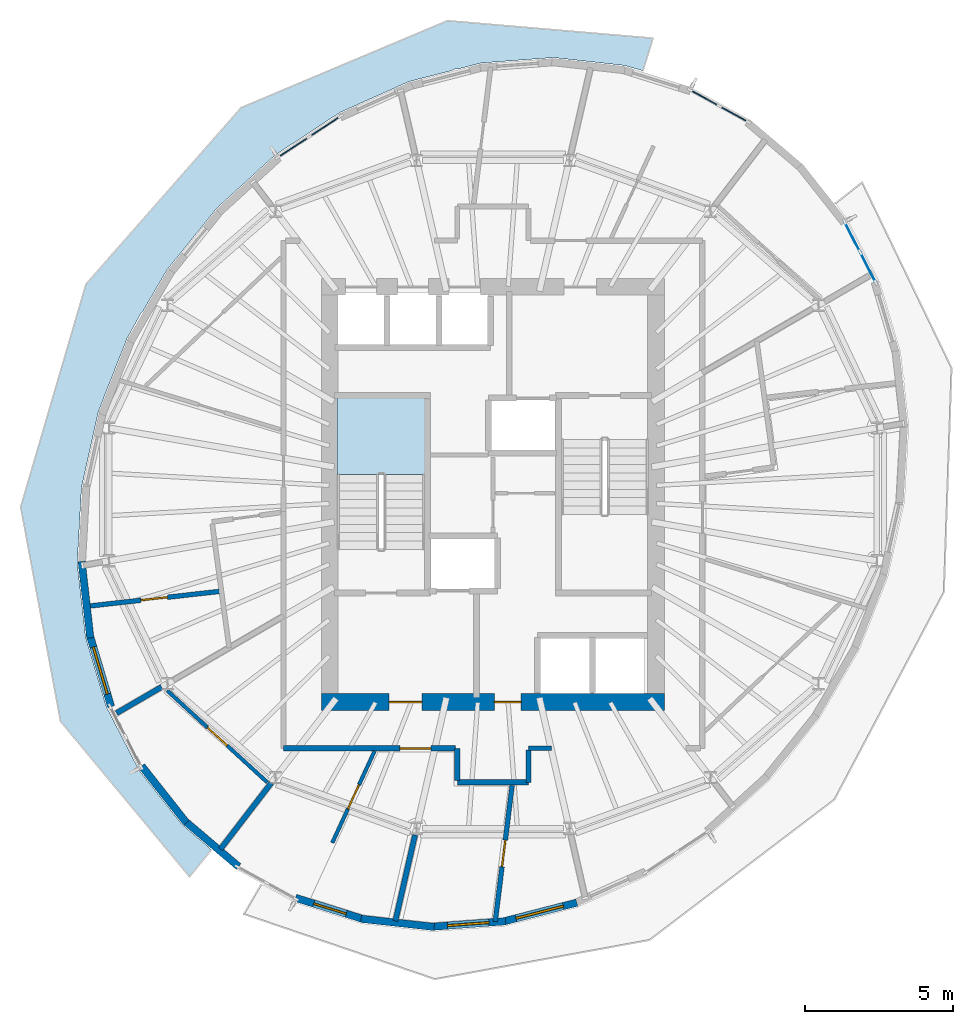
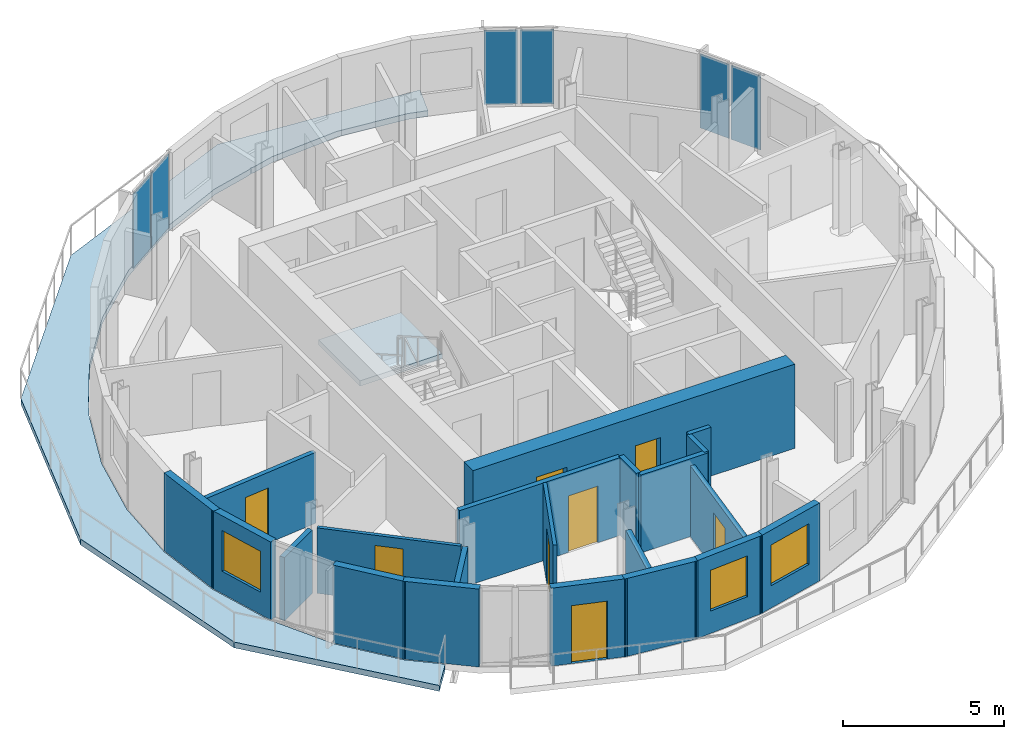
# One storey, part 4 of 11: 21 walls, 8 doors, 6 plates, 3 windows, 2 slabs, 11 openings, 4 elements without a shape of their own.
"""IFC4 building model written with IfcOpenShell, lengths in metres."""

from ifc_helpers import new_model, si_unit, direction, frame, frame_2d, origin, origin_2d, place, context, subcontext, project, spatial, polyline, rectangle, outline, extrude, material, layer, layer_set, type_object, element, fill, aggregate, save


model = new_model("IFC4")

# Units and contexts
model_context = context("Model", 3, precision=1e-05, world=origin(), true_north=direction((0.0, 1.0)))
body_context = subcontext(model_context, "Body", "Model", "MODEL_VIEW")
ifc_project = project(units=[si_unit("LENGTHUNIT", "METRE"), si_unit("AREAUNIT", "SQUARE_METRE"), si_unit("VOLUMEUNIT", "CUBIC_METRE"), si_unit("PLANEANGLEUNIT", "RADIAN"), si_unit("MASSUNIT", "GRAM", prefix="KILO")], contexts=[model_context])

# Site, building, storey
site_placement = place(None, origin())
site = spatial("IfcSite", under=ifc_project, at=site_placement, CompositionType="ELEMENT")
building_placement = place(site_placement, origin())
building = spatial("IfcBuilding", under=site, at=building_placement, Name="Veldorim Arch Residences", CompositionType="ELEMENT")
storey_placement = place(building_placement, frame((0.0, 0.0, 220.639892578125)))
storey = spatial("IfcBuildingStorey", under=building, at=storey_placement, Name="L66", CompositionType="ELEMENT", Elevation=220.639892578125)

# Slab
ifc_material_1 = material(Name="Concrete C40/50", Category="concrete")
ifc_layer_1 = layer(ifc_material_1, 0.219970703125, Name="Planted Crescent Cantilever Balcony Slab 220")
ifc_layer_set_1 = layer_set([ifc_layer_1], Name="Concrete C40/50")
slab_type_1 = type_object("IfcSlabType", Name="Planted Crescent Cantilever Balcony Slab 220", PredefinedType="FLOOR", material=ifc_layer_set_1)
slab_1_placement = place(storey_placement, frame((0.0, 0.0, -0.219970703125)))
element("IfcSlab", 1, at=slab_1_placement, inside=storey, type_object=slab_type_1, Name="L66 planted crescent balcony slab A", PredefinedType="FLOOR", context=body_context, shape_type="SweptSolid", body=[
    extrude(outline(polyline([(37.05712890625, 38.286865234375), (36.419921875, 38.464599609375), (34.0419921875, 38.729248046875), (31.602294921875, 38.54638671875), (30.82421875, 38.34619140625), (30.727783203125, 38.34716796875), (30.614501953125, 38.292236328125), (29.1748046875, 37.921630859375), (26.83349609375, 36.8740234375), (24.64892578125, 35.435302734375), (22.68798828125, 33.6494140625), (21.010009765625, 31.5703125), (20.208984375, 30.19482421875), (20.1298828125, 30.102294921875), (19.66552734375, 29.26123046875), (18.69580078125, 26.79248046875), (18.130126953125, 24.23876953125), (17.985595703125, 21.677734375), (18.26708984375, 19.18701171875), (18.9658203125, 16.84228515625), (20.060791015625, 14.715087890625), (21.5185546875, 12.86962890625), (22.417724609375, 12.107177734375), (22.493408203125, 12.00048828125), (21.770263671875, 11.106201171875), (17.420654296875, 16.344970703125), (16.07568359375, 23.577880859375), (18.278564453125, 31.09326171875), (23.505859375, 37.0419921875), (30.468994140625, 39.974365234375), (37.400146484375, 39.384521484375), (37.05712890625, 38.286865234375)])), origin(), (0.0, 0.0, 1.0), 0.219970703125),
])

# Stair, slab
ifc_material_2 = material(Name="Concrete C40/50", Category="concrete")
stair_type = type_object("IfcStairType", Name="Reinforced Concrete Dogleg Exit Staircase", PredefinedType="HALF_TURN_STAIR", material=ifc_material_2)
stair_placement = place(storey_placement, origin())
stair = element("IfcStair", 2, at=stair_placement, inside=storey, type_object=stair_type, Name="L66 Exit Staircase ST-1", PredefinedType="HALF_TURN_STAIR")
ifc_material_3 = material(Name="Concrete C40/50", Category="concrete")
ifc_layer_2 = layer(ifc_material_3, 0.199951171875, Name="Reinforced Concrete Stair Landing 200")
ifc_layer_set_2 = layer_set([ifc_layer_2], Name="Concrete C40/50")
slab_type_2 = type_object("IfcSlabType", Name="Reinforced Concrete Stair Landing 200", PredefinedType="LANDING", material=ifc_layer_set_2)
slab_2_placement = place(storey_placement, frame((0.0, 0.0, 1.400146484375)))
slab_2 = element("IfcSlab", 3, at=slab_2_placement, type_object=slab_type_2, Name="ST-1 landing 1", PredefinedType="LANDING", context=body_context, shape_type="SweptSolid", body=[
    extrude(outline(polyline([(29.7099609375, 24.669921875), (29.7099609375, 27.25), (26.75, 27.25), (26.75, 24.669921875), (29.7099609375, 24.669921875)])), origin(), (0.0, 0.0, 1.0), 0.199951171875),
])
aggregate(stair, [slab_2])

# Curtain wall, plates
ifc_material_4 = material(Name="Aluminium", Category="aluminium")
curtain_wall_type = type_object("IfcCurtainWallType", Name="Zone 4 High-Altitude Unitised Curtain Wall", PredefinedType="NOTDEFINED", material=ifc_material_4)
curtain_wall_1_placement = place(storey_placement, origin())
curtain_wall_1 = element("IfcCurtainWall", 4, at=curtain_wall_1_placement, inside=storey, type_object=curtain_wall_type, Name="L66 unitised curtain wall bay 01", PredefinedType="NOTDEFINED")
ifc_material_5 = material(Name="Laminated Low-E Glass", Category="glass")
ifc_layer_3 = layer(ifc_material_5, 0.030029296875, Name="Zone 4 High-Altitude Unitised Curtain Wall Glazing Panel 30")
ifc_layer_set_3 = layer_set([ifc_layer_3], Name="Laminated Low-E Glass")
plate_type = type_object("IfcPlateType", Name="Zone 4 High-Altitude Unitised Curtain Wall Glazing Panel 30", PredefinedType="CURTAIN_PANEL", material=ifc_layer_set_3)
plate_1_placement = place(storey_placement, frame((39.135986328125, 37.368896484375, 0.0751953125), z_axis=(0.0, 0.0, 1.0), x_axis=(0.876196835555, -0.48195342655, 0.0)))
plate_1 = element("IfcPlate", 5, at=plate_1_placement, type_object=plate_type, Name="CW-Z4 panel 1.1", PredefinedType="CURTAIN_PANEL", context=body_context, shape_type="SweptSolid", body=[
    extrude(rectangle(XDim=1.0498046875, YDim=0.030029296875, at=origin_2d()), origin(), (0.0, 0.0, 1.0), 2.81005859375),
])
plate_2_placement = place(storey_placement, frame((40.12158203125, 36.82666015625, 0.0751953125), z_axis=(0.0, 0.0, 1.0), x_axis=(0.876196835555, -0.48195342655, 0.0)))
plate_2 = element("IfcPlate", 6, at=plate_2_placement, type_object=plate_type, Name="CW-Z4 panel 2.1", PredefinedType="CURTAIN_PANEL", context=body_context, shape_type="SweptSolid", body=[
    extrude(rectangle(XDim=1.0498046875, YDim=0.030029296875, at=origin_2d()), origin(), (0.0, 0.0, 1.0), 2.81005859375),
])
aggregate(curtain_wall_1, [plate_1, plate_2])

curtain_wall_2_placement = place(storey_placement, origin())
curtain_wall_2 = element("IfcCurtainWall", 7, at=curtain_wall_2_placement, inside=storey, type_object=curtain_wall_type, Name="L66 unitised curtain wall bay 07", PredefinedType="NOTDEFINED")
plate_3_placement = place(storey_placement, frame((25.27490234375, 35.709716796875, 0.0751953125), z_axis=(0.0, 0.0, 1.0), x_axis=(0.835124104582, 0.550061569233, 0.0)))
plate_3 = element("IfcPlate", 8, at=plate_3_placement, type_object=plate_type, Name="CW-Z4 panel 1.1", PredefinedType="CURTAIN_PANEL", context=body_context, shape_type="SweptSolid", body=[
    extrude(rectangle(XDim=1.193359375, YDim=0.030029296875, at=origin_2d()), origin(), (0.0, 0.0, 1.0), 2.81005859375),
])
plate_4_placement = place(storey_placement, frame((26.333984375, 36.4072265625, 0.0751953125), z_axis=(0.0, 0.0, 1.0), x_axis=(0.835124104582, 0.550061569233, 0.0)))
plate_4 = element("IfcPlate", 9, at=plate_4_placement, type_object=plate_type, Name="CW-Z4 panel 2.1", PredefinedType="CURTAIN_PANEL", context=body_context, shape_type="SweptSolid", body=[
    extrude(rectangle(XDim=1.193359375, YDim=0.030029296875, at=origin_2d()), origin(), (0.0, 0.0, 1.0), 2.81005859375),
])
aggregate(curtain_wall_2, [plate_3, plate_4])

curtain_wall_3_placement = place(storey_placement, origin())
curtain_wall_3 = element("IfcCurtainWall", 10, at=curtain_wall_3_placement, inside=storey, type_object=curtain_wall_type, Name="L66 unitised curtain wall bay 34", PredefinedType="NOTDEFINED")
plate_5_placement = place(storey_placement, frame((44.119873046875, 32.6826171875, 0.0751953125), z_axis=(0.0, 0.0, 1.0), x_axis=(0.457652682523, -0.889131048935, 0.0)))
plate_5 = element("IfcPlate", 11, at=plate_5_placement, type_object=plate_type, Name="CW-Z4 panel 1.1", PredefinedType="CURTAIN_PANEL", context=body_context, shape_type="SweptSolid", body=[
    extrude(rectangle(XDim=1.081298828125, YDim=0.030029296875, at=origin_2d()), origin(), (0.0, 0.0, 1.0), 2.81005859375),
])
plate_6_placement = place(storey_placement, frame((44.649169921875, 31.654541015625, 0.0751953125), z_axis=(0.0, 0.0, 1.0), x_axis=(0.457652682523, -0.889131048935, 0.0)))
plate_6 = element("IfcPlate", 12, at=plate_6_placement, type_object=plate_type, Name="CW-Z4 panel 2.1", PredefinedType="CURTAIN_PANEL", context=body_context, shape_type="SweptSolid", body=[
    extrude(rectangle(XDim=1.081298828125, YDim=0.030029296875, at=origin_2d()), origin(), (0.0, 0.0, 1.0), 2.81005859375),
])
aggregate(curtain_wall_3, [plate_5, plate_6])

# Wall, opening, door
ifc_material_6 = material(Name="Acoustic Gypsum Board", Category="gypsum")
ifc_layer_4 = layer(ifc_material_6, 0.125, Name="Acoustic Stud Room Partition Wall 125")
ifc_layer_set_4 = layer_set([ifc_layer_4], Name="Acoustic Gypsum Board")
wall_type_1 = type_object("IfcWallType", Name="Acoustic Stud Room Partition Wall 125", PredefinedType="PARTITIONING", material=ifc_layer_set_4)
wall_1_placement = place(storey_placement, frame((26.582763671875, 12.25341796875, 0.0), z_axis=(0.0, 0.0, 1.0), x_axis=(0.41880384085, 0.908076727424, 0.0)))
wall_1 = element("IfcWall", 13, at=wall_1_placement, inside=storey, type_object=wall_type_1, Name="L66 interior wall WL-RES-L66-017", PredefinedType="PARTITIONING", context=body_context, shape_type="SweptSolid", body=[
    extrude(rectangle(XDim=3.4091796875, YDim=0.125, at=frame_2d((1.70458984375, 0.0))), origin(), (0.0, 0.0, 1.0), 2.955078125),
])
opening_1_placement = place(wall_1_placement, frame((1.254638671875, 0.0, 0.0)))
opening_1 = element("IfcOpeningElement", 14, at=opening_1_placement, cuts=wall_1, Name="Opening DR-INT", PredefinedType="OPENING", context=body_context, shape_type="SweptSolid", body=[
    extrude(rectangle(XDim=0.89990234375, YDim=2.10009765625, at=frame_2d((0.449951171875, 1.050048828125))), frame((0.0, 0.072509765625, 0.0), z_axis=(0.0, -1.0, 0.0), x_axis=(1.0, 0.0, 0.0)), (0.0, 0.0, 1.0), 0.14501953125),
])
ifc_material_7 = material(Name="Engineered Timber", Category="wood")
door_type_1 = type_object("IfcDoorType", Name="Apartment Internal Room Timber Door 900x2100", OperationType="SINGLE_SWING_LEFT", PredefinedType="DOOR", material=ifc_material_7)
door_1_placement = place(opening_1_placement, origin())
door_1 = element("IfcDoor", 15, at=door_1_placement, inside=storey, type_object=door_type_1, Name="L66 interior door DR-RES-L66-003", OperationType="SINGLE_SWING_LEFT", OverallHeight=2.10009765625, OverallWidth=0.89990234375, PredefinedType="DOOR", context=body_context, shape_type="SweptSolid", body=[
    extrude(rectangle(XDim=0.89990234375, YDim=2.10009765625, at=frame_2d((0.449951171875, 1.050048828125))), frame((0.0, 0.02490234375, 0.0), z_axis=(0.0, -1.0, 0.0), x_axis=(1.0, 0.0, 0.0)), (0.0, 0.0, 1.0), 0.050048828125),
])
fill(opening_1, door_1)

wall_2_placement = place(storey_placement, frame((24.393310546875, 14.2880859375, 0.0), z_axis=(0.0, 0.0, 1.0), x_axis=(-0.736828890574, 0.676079274949, 0.0)))
wall_2 = element("IfcWall", 16, at=wall_2_placement, inside=storey, type_object=wall_type_1, Name="L66 interior wall WL-RES-L66-018", PredefinedType="PARTITIONING", context=body_context, shape_type="SweptSolid", body=[
    extrude(rectangle(XDim=4.58154296875, YDim=0.125, at=frame_2d((2.290771484375, 0.0))), origin(), (0.0, 0.0, 1.0), 2.488037109375),
])
opening_2_placement = place(wall_2_placement, frame((1.8408203125, 0.0, 0.0)))
opening_2 = element("IfcOpeningElement", 17, at=opening_2_placement, cuts=wall_2, Name="Opening DR-INT", PredefinedType="OPENING", context=body_context, shape_type="SweptSolid", body=[
    extrude(rectangle(XDim=0.89990234375, YDim=2.10009765625, at=frame_2d((0.449951171875, 1.050048828125))), frame((0.0, 0.072509765625, 0.0), z_axis=(0.0, -1.0, 0.0), x_axis=(1.0, 0.0, 0.0)), (0.0, 0.0, 1.0), 0.14501953125),
])
door_2_placement = place(opening_2_placement, origin())
door_2 = element("IfcDoor", 18, at=door_2_placement, inside=storey, type_object=door_type_1, Name="L66 interior door DR-RES-L66-004", OperationType="SINGLE_SWING_RIGHT", OverallHeight=2.10009765625, OverallWidth=0.89990234375, PredefinedType="DOOR", context=body_context, shape_type="SweptSolid", body=[
    extrude(rectangle(XDim=0.89990234375, YDim=2.10009765625, at=frame_2d((0.449951171875, 1.050048828125))), frame((0.0, 0.02490234375, 0.0), z_axis=(0.0, -1.0, 0.0), x_axis=(1.0, 0.0, 0.0)), (0.0, 0.0, 1.0), 0.050048828125),
])
fill(opening_2, door_2)

# Walls
ifc_material_8 = material(Name="Lightweight Masonry Block & Gypsum", Category="masonry")
ifc_layer_5 = layer(ifc_material_8, 0.179931640625, Name="Compartment & Corridor Fire-Rated Party Wall 180")
ifc_layer_set_5 = layer_set([ifc_layer_5], Name="Lightweight Masonry Block & Gypsum")
wall_type_2 = type_object("IfcWallType", Name="Compartment & Corridor Fire-Rated Party Wall 180", PredefinedType="PARTITIONING", material=ifc_layer_set_5)
wall_3_placement = place(storey_placement, frame((20.826171875, 17.5068359375, 0.0), z_axis=(0.0, 0.0, 1.0), x_axis=(-0.864599922959, -0.502460917106, 0.0)))
element("IfcWall", 19, at=wall_3_placement, inside=storey, type_object=wall_type_2, Name="L66 interior wall WL-PIER-L66-10", PredefinedType="PARTITIONING", context=body_context, shape_type="SweptSolid", body=[
    extrude(rectangle(XDim=1.755615234375, YDim=0.179931640625, at=frame_2d((0.8779296875, 0.0))), origin(), (0.0, 0.0, 1.0), 2.403564453125),
])
wall_4_placement = place(storey_placement, frame((24.526611328125, 14.272705078125, 0.0), z_axis=(0.0, 0.0, 1.0), x_axis=(-0.609232660573, -0.792991529142, 0.0)))
element("IfcWall", 20, at=wall_4_placement, inside=storey, type_object=wall_type_2, Name="L66 interior wall WL-PIER-L66-11", PredefinedType="PARTITIONING", context=body_context, shape_type="SweptSolid", body=[
    extrude(rectangle(XDim=2.81396484375, YDim=0.179931640625, at=frame_2d((1.406982421875, 0.0))), origin(), (0.0, 0.0, 1.0), 2.403564453125),
])
wall_5_placement = place(storey_placement, frame((29.37353515625, 12.516845703125, 0.0), z_axis=(0.0, 0.0, 1.0), x_axis=(-0.22291168124, -0.974838644272, 0.0)))
element("IfcWall", 21, at=wall_5_placement, inside=storey, type_object=wall_type_2, Name="L66 interior wall WL-PIER-L66-12", PredefinedType="PARTITIONING", context=body_context, shape_type="SweptSolid", body=[
    extrude(rectangle(XDim=2.975830078125, YDim=0.179931640625, at=frame_2d((1.48779296875, 0.0))), origin(), (0.0, 0.0, 1.0), 2.403564453125),
])
wall_6_placement = place(storey_placement, frame((33.199951171875, 14.2900390625, 0.0), z_axis=(0.0, 0.0, 1.0), x_axis=(-1.0, 0.0, 0.0)))
element("IfcWall", 22, at=wall_6_placement, inside=storey, type_object=wall_type_2, Name="L66 interior wall WL-RES-L66-001", PredefinedType="PARTITIONING", context=body_context, shape_type="SweptSolid", body=[
    extrude(rectangle(XDim=2.39990234375, YDim=0.179931640625, at=frame_2d((1.199951171875, 0.0))), origin(), (0.0, 0.0, 1.0), 2.955078125),
])
wall_7_placement = place(storey_placement, frame((30.800048828125, 14.35009765625, 0.0), z_axis=(0.0, 0.0, 1.0), x_axis=(0.0, 1.0, 0.0)))
element("IfcWall", 23, at=wall_7_placement, inside=storey, type_object=wall_type_2, Name="L66 interior wall WL-RES-L66-002", PredefinedType="PARTITIONING", context=body_context, shape_type="SweptSolid", body=[
    extrude(rectangle(XDim=1.08984375, YDim=0.179931640625, at=frame_2d((0.544921875, 0.0))), origin(), (0.0, 0.0, 1.0), 2.955078125),
])

# Wall, opening, door
wall_8_placement = place(storey_placement, frame((30.739990234375, 15.43994140625, 0.0), z_axis=(0.0, 0.0, 1.0), x_axis=(-1.0, 0.0, 0.0)))
wall_8 = element("IfcWall", 24, at=wall_8_placement, inside=storey, type_object=wall_type_2, Name="L66 interior wall WL-RES-L66-003", PredefinedType="PARTITIONING", context=body_context, shape_type="SweptSolid", body=[
    extrude(rectangle(XDim=5.800048828125, YDim=0.179931640625, at=frame_2d((2.89990234375, 0.0))), origin(), (0.0, 0.0, 1.0), 2.955078125),
])
opening_3_placement = place(wall_8_placement, frame((0.829833984375, 0.0, 0.0)))
opening_3 = element("IfcOpeningElement", 25, at=opening_3_placement, cuts=wall_8, Name="Opening DR-FLT", PredefinedType="OPENING", context=body_context, shape_type="SweptSolid", body=[
    extrude(rectangle(XDim=1.050048828125, YDim=2.14990234375, at=frame_2d((0.52490234375, 1.074951171875))), frame((0.0, 0.099853515625, 0.0), z_axis=(0.0, -1.0, 0.0), x_axis=(1.0, 0.0, 0.0)), (0.0, 0.0, 1.0), 0.199951171875),
])
ifc_material_9 = material(Name="Fire-Rated Timber", Category="wood")
door_type_2 = type_object("IfcDoorType", Name="Apartment Entrance Solid-Core Fire Door 1050x2150", OperationType="SINGLE_SWING_LEFT", PredefinedType="DOOR", material=ifc_material_9)
door_3_placement = place(opening_3_placement, origin())
door_3 = element("IfcDoor", 26, at=door_3_placement, inside=storey, type_object=door_type_2, Name="L66 interior door DR-RES-L66-001", OperationType="SINGLE_SWING_LEFT", OverallHeight=2.14990234375, OverallWidth=1.050048828125, PredefinedType="DOOR", context=body_context, shape_type="SweptSolid", body=[
    extrude(rectangle(XDim=1.050048828125, YDim=2.14990234375, at=frame_2d((0.52490234375, 1.074951171875))), frame((0.0, 0.02490234375, 0.0), z_axis=(0.0, -1.0, 0.0), x_axis=(1.0, 0.0, 0.0)), (0.0, 0.0, 1.0), 0.050048828125),
])
fill(opening_3, door_3)

# Wall
ifc_material_10 = material(Name="Precast concrete C40/50", Category="concrete")
ifc_layer_6 = layer(ifc_material_10, 0.25, Name="Tower Terracotta Spandrel & Pier Wall 250")
ifc_layer_set_6 = layer_set([ifc_layer_6], Name="Precast concrete C40/50")
wall_type_3 = type_object("IfcWallType", Name="Tower Terracotta Spandrel & Pier Wall 250", PredefinedType="SOLIDWALL", material=ifc_layer_set_6)
wall_9_placement = place(storey_placement, frame((18.4208984375, 19.161376953125, 0.0), z_axis=(0.0, 0.0, 1.0), x_axis=(-0.112260931198, 0.993678762642, 0.0)))
element("IfcWall", 27, at=wall_9_placement, inside=storey, type_object=wall_type_3, Name="L66 terracotta facade wall 14", PredefinedType="SOLIDWALL", context=body_context, shape_type="SweptSolid", body=[
    extrude(rectangle(XDim=2.59228515625, YDim=0.25, at=frame_2d((1.296142578125, 0.0))), origin(), (0.0, 0.0, 1.0), 2.960205078125),
])

# Wall, opening, window
wall_10_placement = place(storey_placement, frame((19.12158203125, 16.844482421875, 0.0), z_axis=(0.0, 0.0, 1.0), x_axis=(-0.285604720301, 0.958347506775, 0.0)))
wall_10 = element("IfcWall", 28, at=wall_10_placement, inside=storey, type_object=wall_type_3, Name="L66 terracotta facade wall 15", PredefinedType="SOLIDWALL", context=body_context, shape_type="SweptSolid", body=[
    extrude(rectangle(XDim=2.531982421875, YDim=0.25, at=frame_2d((1.26611328125, 0.0))), origin(), (0.0, 0.0, 1.0), 2.960205078125),
])
opening_4_placement = place(wall_10_placement, frame((0.44091796875, 0.0, 0.85009765625)))
opening_4 = element("IfcOpeningElement", 29, at=opening_4_placement, cuts=wall_10, Name="Opening WN-03", PredefinedType="OPENING", context=body_context, shape_type="SweptSolid", body=[
    extrude(rectangle(XDim=1.64990234375, YDim=1.550048828125, at=frame_2d((0.824951171875, 0.77490234375))), frame((0.0, 0.135009765625, 0.0), z_axis=(0.0, -1.0, 0.0), x_axis=(1.0, 0.0, 0.0)), (0.0, 0.0, 1.0), 0.27001953125),
])
ifc_material_11 = material(Name="Laminated Low-E Glass", Category="glass")
window_type_1 = type_object("IfcWindowType", Name="Residential Wide Window 1650x1550", PartitioningType="SINGLE_PANEL", PredefinedType="WINDOW", material=ifc_material_11)
window_1_placement = place(opening_4_placement, origin())
window_1 = element("IfcWindow", 30, at=window_1_placement, inside=storey, type_object=window_type_1, Name="L66 solar-control facade window 15", OverallHeight=1.550048828125, OverallWidth=1.64990234375, PartitioningType="SINGLE_PANEL", PredefinedType="WINDOW", context=body_context, shape_type="SweptSolid", body=[
    extrude(rectangle(XDim=1.64990234375, YDim=1.550048828125, at=frame_2d((0.824951171875, 0.77490234375))), frame((0.0, 0.030029296875, 0.0), z_axis=(0.0, -1.0, 0.0), x_axis=(1.0, 0.0, 0.0)), (0.0, 0.0, 1.0), 0.06005859375),
])
fill(opening_4, window_1)

# Walls
wall_11_placement = place(storey_placement, frame((21.66259765625, 12.929443359375, 0.0), z_axis=(0.0, 0.0, 1.0), x_axis=(-0.619881401672, 0.784695512833, 0.0)))
element("IfcWall", 31, at=wall_11_placement, inside=storey, type_object=wall_type_3, Name="L66 terracotta facade wall 17", PredefinedType="SOLIDWALL", context=body_context, shape_type="SweptSolid", body=[
    extrude(rectangle(XDim=2.436767578125, YDim=0.25, at=frame_2d((1.21826171875, 0.0))), origin(), (0.0, 0.0, 1.0), 2.960205078125),
])
wall_12_placement = place(storey_placement, frame((23.424560546875, 11.44970703125, 0.0), z_axis=(0.0, 0.0, 1.0), x_axis=(-0.762614923672, 0.646852748462, 0.0)))
element("IfcWall", 32, at=wall_12_placement, inside=storey, type_object=wall_type_3, Name="L66 terracotta facade wall 18", PredefinedType="SOLIDWALL", context=body_context, shape_type="SweptSolid", body=[
    extrude(rectangle(XDim=2.414794921875, YDim=0.25, at=frame_2d((1.20751953125, 0.0))), origin(), (0.0, 0.0, 1.0), 2.960205078125),
])

# Wall, opening, door
wall_13_placement = place(storey_placement, frame((27.665771484375, 9.665771484375, 0.0), z_axis=(0.0, 0.0, 1.0), x_axis=(-0.95407801166, 0.299558254212, 0.0)))
wall_13 = element("IfcWall", 33, at=wall_13_placement, inside=storey, type_object=wall_type_3, Name="L66 terracotta facade wall 20", PredefinedType="SOLIDWALL", context=body_context, shape_type="SweptSolid", body=[
    extrude(rectangle(XDim=2.436767578125, YDim=0.25, at=frame_2d((1.21826171875, 0.0))), origin(), (0.0, 0.0, 1.0), 2.960205078125),
])
opening_5_placement = place(wall_13_placement, frame((0.64306640625, 0.0, 0.0)))
opening_5 = element("IfcOpeningElement", 34, at=opening_5_placement, cuts=wall_13, Name="Opening BL-DR", PredefinedType="OPENING", context=body_context, shape_type="SweptSolid", body=[
    extrude(rectangle(XDim=1.14990234375, YDim=2.199951171875, at=frame_2d((0.574951171875, 1.10009765625))), frame((0.0, 0.135009765625, 0.0), z_axis=(0.0, -1.0, 0.0), x_axis=(1.0, 0.0, 0.0)), (0.0, 0.0, 1.0), 0.27001953125),
])
ifc_material_12 = material(Name="Aluminium & Low-E Glass", Category="aluminium")
door_type_3 = type_object("IfcDoorType", Name="Glazed Planted Balcony Door 1150x2200", OperationType="SINGLE_SWING_LEFT", PredefinedType="DOOR", material=ifc_material_12)
door_4_placement = place(opening_5_placement, origin())
door_4 = element("IfcDoor", 35, at=door_4_placement, inside=storey, type_object=door_type_3, Name="L66 glazed outdoor terrace door BALC-2", OperationType="SINGLE_SWING_RIGHT", OverallHeight=2.199951171875, OverallWidth=1.14990234375, PredefinedType="DOOR", context=body_context, shape_type="SweptSolid", body=[
    extrude(rectangle(XDim=1.14990234375, YDim=2.199951171875, at=frame_2d((0.574951171875, 1.10009765625))), frame((0.0, 0.02490234375, 0.0), z_axis=(0.0, -1.0, 0.0), x_axis=(1.0, 0.0, 0.0)), (0.0, 0.0, 1.0), 0.050048828125),
])
fill(opening_5, door_4)

# Wall
wall_14_placement = place(storey_placement, frame((30.01708984375, 9.4150390625, 0.0), z_axis=(0.0, 0.0, 1.0), x_axis=(-0.993859679734, 0.110647806121, 0.0)))
element("IfcWall", 36, at=wall_14_placement, inside=storey, type_object=wall_type_3, Name="L66 terracotta facade wall 21", PredefinedType="SOLIDWALL", context=body_context, shape_type="SweptSolid", body=[
    extrude(rectangle(XDim=2.477783203125, YDim=0.25, at=frame_2d((1.23876953125, 0.0))), origin(), (0.0, 0.0, 1.0), 2.960205078125),
])

# Wall, opening, window
wall_15_placement = place(storey_placement, frame((32.42919921875, 9.606201171875, 0.0), z_axis=(0.0, 0.0, 1.0), x_axis=(-0.997203982256, -0.074727623888, 0.0)))
wall_15 = element("IfcWall", 37, at=wall_15_placement, inside=storey, type_object=wall_type_3, Name="L66 terracotta facade wall 22", PredefinedType="SOLIDWALL", context=body_context, shape_type="SweptSolid", body=[
    extrude(rectangle(XDim=2.531982421875, YDim=0.25, at=frame_2d((1.26611328125, 0.0))), origin(), (0.0, 0.0, 1.0), 2.960205078125),
])
opening_6_placement = place(wall_15_placement, frame((0.56591796875, 0.0, 0.85009765625)))
opening_6 = element("IfcOpeningElement", 38, at=opening_6_placement, cuts=wall_15, Name="Opening WN-02", PredefinedType="OPENING", context=body_context, shape_type="SweptSolid", body=[
    extrude(rectangle(XDim=1.39990234375, YDim=1.550048828125, at=frame_2d((0.699951171875, 0.77490234375))), frame((0.0, 0.135009765625, 0.0), z_axis=(0.0, -1.0, 0.0), x_axis=(1.0, 0.0, 0.0)), (0.0, 0.0, 1.0), 0.27001953125),
])
ifc_material_13 = material(Name="Laminated Low-E Glass", Category="glass")
window_type_2 = type_object("IfcWindowType", Name="Residential Casement Window 1400x1550", PartitioningType="SINGLE_PANEL", PredefinedType="WINDOW", material=ifc_material_13)
window_2_placement = place(opening_6_placement, origin())
window_2 = element("IfcWindow", 39, at=window_2_placement, inside=storey, type_object=window_type_2, Name="L66 solar-control facade window 22", OverallHeight=1.550048828125, OverallWidth=1.39990234375, PartitioningType="SINGLE_PANEL", PredefinedType="WINDOW", context=body_context, shape_type="SweptSolid", body=[
    extrude(rectangle(XDim=1.39990234375, YDim=1.550048828125, at=frame_2d((0.699951171875, 0.77490234375))), frame((0.0, 0.030029296875, 0.0), z_axis=(0.0, -1.0, 0.0), x_axis=(1.0, 0.0, 0.0)), (0.0, 0.0, 1.0), 0.06005859375),
])
fill(opening_6, window_2)

wall_16_placement = place(storey_placement, frame((34.829345703125, 10.234375, 0.0), z_axis=(0.0, 0.0, 1.0), x_axis=(-0.968423445169, -0.249311112562, 0.0)))
wall_16 = element("IfcWall", 40, at=wall_16_placement, inside=storey, type_object=wall_type_3, Name="L66 terracotta facade wall 23", PredefinedType="SOLIDWALL", context=body_context, shape_type="SweptSolid", body=[
    extrude(rectangle(XDim=2.592041015625, YDim=0.25, at=frame_2d((1.2958984375, 0.0))), origin(), (0.0, 0.0, 1.0), 2.960205078125),
])
opening_7_placement = place(wall_16_placement, frame((0.470947265625, 0.0, 0.85009765625)))
opening_7 = element("IfcOpeningElement", 41, at=opening_7_placement, cuts=wall_16, Name="Opening WN-03", PredefinedType="OPENING", context=body_context, shape_type="SweptSolid", body=[
    extrude(rectangle(XDim=1.64990234375, YDim=1.550048828125, at=frame_2d((0.824951171875, 0.77490234375))), frame((0.0, 0.135009765625, 0.0), z_axis=(0.0, -1.0, 0.0), x_axis=(1.0, 0.0, 0.0)), (0.0, 0.0, 1.0), 0.27001953125),
])
window_3_placement = place(opening_7_placement, origin())
window_3 = element("IfcWindow", 42, at=window_3_placement, inside=storey, type_object=window_type_1, Name="L66 solar-control facade window 23", OverallHeight=1.550048828125, OverallWidth=1.64990234375, PartitioningType="SINGLE_PANEL", PredefinedType="WINDOW", context=body_context, shape_type="SweptSolid", body=[
    extrude(rectangle(XDim=1.64990234375, YDim=1.550048828125, at=frame_2d((0.824951171875, 0.77490234375))), frame((0.0, 0.030029296875, 0.0), z_axis=(0.0, -1.0, 0.0), x_axis=(1.0, 0.0, 0.0)), (0.0, 0.0, 1.0), 0.06005859375),
])
fill(opening_7, window_3)

# Wall, openings, doors
ifc_material_14 = material(Name="Concrete C50/60", Category="concrete")
ifc_layer_7 = layer(ifc_material_14, 0.5, Name="Upper Central Core Shear Wall 560")
ifc_layer_set_7 = layer_set([ifc_layer_7], Name="Concrete C50/60")
wall_type_4 = type_object("IfcWallType", Name="Upper Central Core Shear Wall 560", PredefinedType="SHEAR", material=ifc_layer_set_7)
wall_17_placement = place(storey_placement, frame((26.219970703125, 17.0, 0.0), z_axis=(0.0, 0.0, 1.0), x_axis=(1.0, 0.0, 0.0)))
wall_17 = element("IfcWall", 43, at=wall_17_placement, inside=storey, type_object=wall_type_4, Name="L66 central core south shear wall", PredefinedType="SHEAR", context=body_context, shape_type="SweptSolid", body=[
    extrude(rectangle(XDim=11.56005859375, YDim=0.56005859375, at=frame_2d((5.780029296875, 0.0))), origin(), (0.0, 0.0, 1.0), 3.2001953125),
])
opening_8_placement = place(wall_17_placement, frame((2.280029296875, 0.0, 0.0)))
opening_8 = element("IfcOpeningElement", 44, at=opening_8_placement, cuts=wall_17, Name="Opening DR-FFL", PredefinedType="OPENING", context=body_context, shape_type="SweptSolid", body=[
    extrude(rectangle(XDim=1.10009765625, YDim=2.14990234375, at=frame_2d((0.550048828125, 1.074951171875))), frame((0.0, 0.2900390625, 0.0), z_axis=(0.0, -1.0, 0.0), x_axis=(1.0, 0.0, 0.0)), (0.0, 0.0, 1.0), 0.580078125),
])
opening_9_placement = place(wall_17_placement, frame((5.830078125, 0.0, 0.0)))
opening_9 = element("IfcOpeningElement", 45, at=opening_9_placement, cuts=wall_17, Name="Opening DR-SVC", PredefinedType="OPENING", context=body_context, shape_type="SweptSolid", body=[
    extrude(rectangle(XDim=0.89990234375, YDim=2.10009765625, at=frame_2d((0.449951171875, 1.050048828125))), frame((0.0, 0.2900390625, 0.0), z_axis=(0.0, -1.0, 0.0), x_axis=(1.0, 0.0, 0.0)), (0.0, 0.0, 1.0), 0.580078125),
])
ifc_material_15 = material(Name="Fire-Rated Steel & Vision Glass", Category="steel")
door_type_4 = type_object("IfcDoorType", Name="Firefighting Lobby Smoke-Stop Fire Door 1100x2150", OperationType="SINGLE_SWING_LEFT", PredefinedType="DOOR", material=ifc_material_15)
door_5_placement = place(opening_8_placement, origin())
door_5 = element("IfcDoor", 46, at=door_5_placement, inside=storey, type_object=door_type_4, Name="L66 interior door DR-L66-FFL1", OperationType="SINGLE_SWING_RIGHT", OverallHeight=2.14990234375, OverallWidth=1.10009765625, PredefinedType="DOOR", context=body_context, shape_type="SweptSolid", body=[
    extrude(rectangle(XDim=1.10009765625, YDim=2.14990234375, at=frame_2d((0.550048828125, 1.074951171875))), frame((0.0, 0.02490234375, 0.0), z_axis=(0.0, -1.0, 0.0), x_axis=(1.0, 0.0, 0.0)), (0.0, 0.0, 1.0), 0.050048828125),
])
fill(opening_8, door_5)
ifc_material_16 = material(Name="Fire-Rated Steel", Category="steel")
door_type_5 = type_object("IfcDoorType", Name="Riser, Shelter & Plant Room Rated Steel Door 900x2100", OperationType="SINGLE_SWING_LEFT", PredefinedType="DOOR", material=ifc_material_16)
door_6_placement = place(opening_9_placement, origin())
door_6 = element("IfcDoor", 47, at=door_6_placement, inside=storey, type_object=door_type_5, Name="L66 interior door DR-L66-COR-ANC", OperationType="SINGLE_SWING_LEFT", OverallHeight=2.10009765625, OverallWidth=0.89990234375, PredefinedType="DOOR", context=body_context, shape_type="SweptSolid", body=[
    extrude(rectangle(XDim=0.89990234375, YDim=2.10009765625, at=frame_2d((0.449951171875, 1.050048828125))), frame((0.0, 0.02490234375, 0.0), z_axis=(0.0, -1.0, 0.0), x_axis=(1.0, 0.0, 0.0)), (0.0, 0.0, 1.0), 0.050048828125),
])
fill(opening_9, door_6)

# Walls
ifc_material_17 = material(Name="Moisture-Resistant Gypsum & Stud", Category="gypsum")
ifc_layer_8 = layer(ifc_material_17, 0.159912109375, Name="Wet-Area Moisture-Resistant Plumbing Wall 160")
ifc_layer_set_8 = layer_set([ifc_layer_8], Name="Moisture-Resistant Gypsum & Stud")
wall_type_5 = type_object("IfcWallType", Name="Wet-Area Moisture-Resistant Plumbing Wall 160", PredefinedType="PLUMBINGWALL", material=ifc_layer_set_8)
wall_18_placement = place(storey_placement, frame((33.978271484375, 15.43994140625, 0.0), z_axis=(0.0, 0.0, 1.0), x_axis=(-1.0, 0.0, 0.0)))
element("IfcWall", 48, at=wall_18_placement, inside=storey, type_object=wall_type_5, Name="L66 interior wall WL-RES-L66-004", PredefinedType="PLUMBINGWALL", context=body_context, shape_type="SweptSolid", body=[
    extrude(rectangle(XDim=0.7783203125, YDim=0.159912109375, at=frame_2d((0.38916015625, 0.0))), origin(), (0.0, 0.0, 1.0), 2.955078125),
])
wall_19_placement = place(storey_placement, frame((33.199951171875, 15.3798828125, 0.0), z_axis=(0.0, 0.0, 1.0), x_axis=(0.0, -1.0, 0.0)))
element("IfcWall", 49, at=wall_19_placement, inside=storey, type_object=wall_type_5, Name="L66 interior wall WL-RES-L66-005", PredefinedType="PLUMBINGWALL", context=body_context, shape_type="SweptSolid", body=[
    extrude(rectangle(XDim=1.08984375, YDim=0.159912109375, at=frame_2d((0.544921875, 0.0))), origin(), (0.0, 0.0, 1.0), 2.955078125),
])

# Wall, opening, door
wall_20_placement = place(storey_placement, frame((32.647216796875, 14.19091796875, 0.0), z_axis=(0.0, 0.0, 1.0), x_axis=(-0.123041966912, -0.992401468348, 0.0)))
wall_20 = element("IfcWall", 50, at=wall_20_placement, inside=storey, type_object=wall_type_5, Name="L66 interior wall WL-RES-L66-016", PredefinedType="PLUMBINGWALL", context=body_context, shape_type="SweptSolid", body=[
    extrude(rectangle(XDim=4.631103515625, YDim=0.159912109375, at=frame_2d((2.3154296875, 0.0))), origin(), (0.0, 0.0, 1.0), 2.692138671875),
])
opening_10_placement = place(wall_20_placement, frame((1.865478515625, 0.0, 0.0)))
opening_10 = element("IfcOpeningElement", 51, at=opening_10_placement, cuts=wall_20, Name="Opening DR-WC", PredefinedType="OPENING", context=body_context, shape_type="SweptSolid", body=[
    extrude(rectangle(XDim=0.89990234375, YDim=2.10009765625, at=frame_2d((0.449951171875, 1.050048828125))), frame((0.0, 0.08984375, 0.0), z_axis=(0.0, -1.0, 0.0), x_axis=(1.0, 0.0, 0.0)), (0.0, 0.0, 1.0), 0.179931640625),
])
ifc_material_18 = material(Name="Laminate Timber", Category="wood")
door_type_6 = type_object("IfcDoorType", Name="Bathroom & Accessible WC Moisture-Sealed Door 900x2100", OperationType="SINGLE_SWING_LEFT", PredefinedType="DOOR", material=ifc_material_18)
door_7_placement = place(opening_10_placement, origin())
door_7 = element("IfcDoor", 52, at=door_7_placement, inside=storey, type_object=door_type_6, Name="L66 interior door DR-RES-L66-002", OperationType="SINGLE_SWING_RIGHT", OverallHeight=2.10009765625, OverallWidth=0.89990234375, PredefinedType="DOOR", context=body_context, shape_type="SweptSolid", body=[
    extrude(rectangle(XDim=0.89990234375, YDim=2.10009765625, at=frame_2d((0.449951171875, 1.050048828125))), frame((0.0, 0.02490234375, 0.0), z_axis=(0.0, -1.0, 0.0), x_axis=(1.0, 0.0, 0.0)), (0.0, 0.0, 1.0), 0.050048828125),
])
fill(opening_10, door_7)

wall_21_placement = place(storey_placement, frame((22.84375, 20.737548828125, 0.0), z_axis=(0.0, 0.0, 1.0), x_axis=(-0.993735184374, -0.111760383578, 0.0)))
wall_21 = element("IfcWall", 53, at=wall_21_placement, inside=storey, type_object=wall_type_5, Name="L66 interior wall WL-RES-L66-029", PredefinedType="PLUMBINGWALL", context=body_context, shape_type="SweptSolid", body=[
    extrude(rectangle(XDim=4.556884765625, YDim=0.159912109375, at=frame_2d((2.2783203125, 0.0))), origin(), (0.0, 0.0, 1.0), 2.692138671875),
])
opening_11_placement = place(wall_21_placement, frame((1.82861328125, 0.0, 0.0)))
opening_11 = element("IfcOpeningElement", 54, at=opening_11_placement, cuts=wall_21, Name="Opening DR-WC", PredefinedType="OPENING", context=body_context, shape_type="SweptSolid", body=[
    extrude(rectangle(XDim=0.89990234375, YDim=2.10009765625, at=frame_2d((0.449951171875, 1.050048828125))), frame((0.0, 0.08984375, 0.0), z_axis=(0.0, -1.0, 0.0), x_axis=(1.0, 0.0, 0.0)), (0.0, 0.0, 1.0), 0.179931640625),
])
door_8_placement = place(opening_11_placement, origin())
door_8 = element("IfcDoor", 55, at=door_8_placement, inside=storey, type_object=door_type_6, Name="L66 interior door DR-RES-L66-015", OperationType="SINGLE_SWING_LEFT", OverallHeight=2.10009765625, OverallWidth=0.89990234375, PredefinedType="DOOR", context=body_context, shape_type="SweptSolid", body=[
    extrude(rectangle(XDim=0.89990234375, YDim=2.10009765625, at=frame_2d((0.449951171875, 1.050048828125))), frame((0.0, 0.02490234375, 0.0), z_axis=(0.0, -1.0, 0.0), x_axis=(1.0, 0.0, 0.0)), (0.0, 0.0, 1.0), 0.050048828125),
])
fill(opening_11, door_8)

save(model, "model.ifc")
